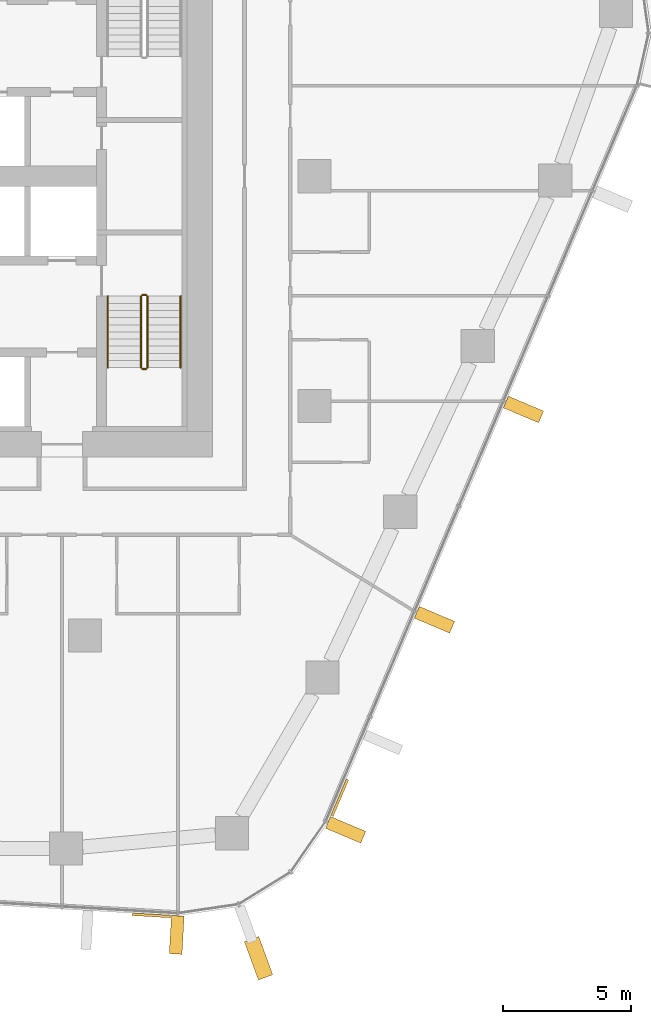
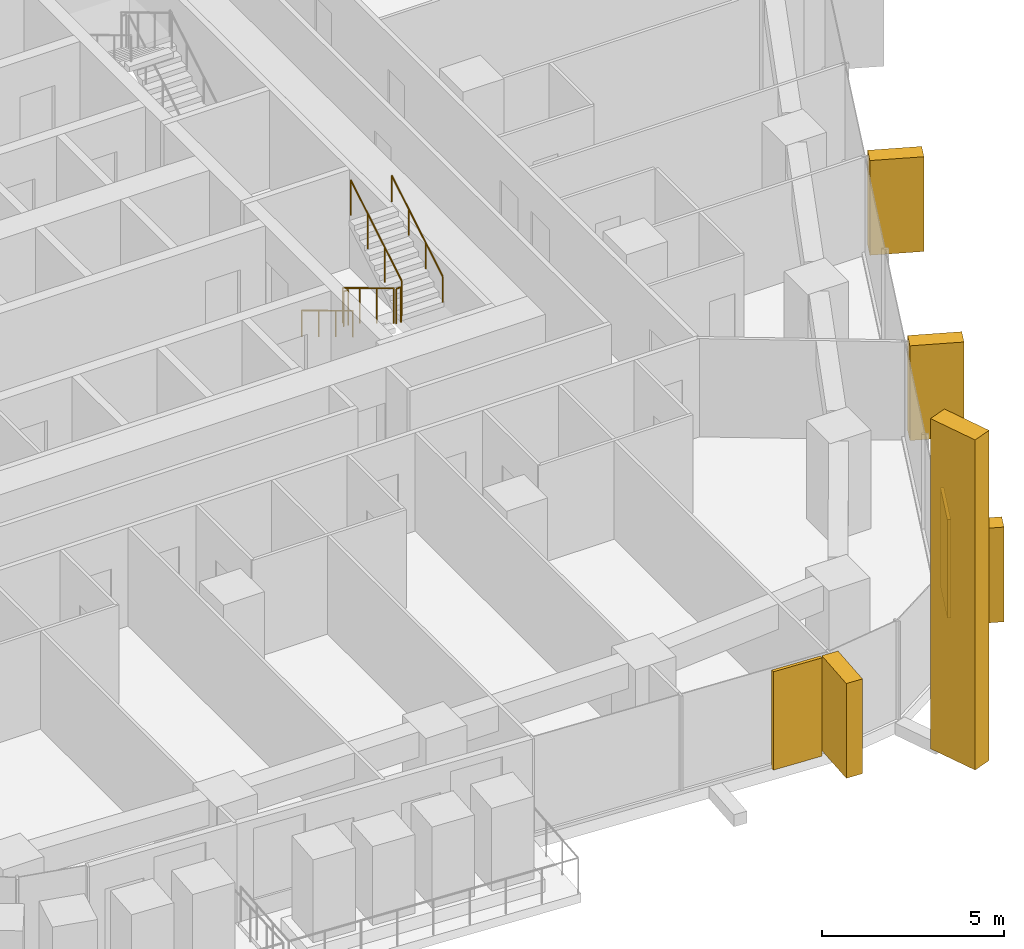
# One storey, part 21 of 24: 7 coverings, 6 railings, 3 elements without a shape of their own.
"""IFC4 building model written with IfcOpenShell, lengths in metres."""

from ifc_helpers import new_model, si_unit, direction, frame, origin, origin_2d, place, context, subcontext, project, spatial, rectangle, circle, extrude, material, layer, layer_set, material_profile, profile_set, type_object, element, aggregate, save


model = new_model("IFC4")

# Units and contexts
model_context = context("Model", 3, precision=1e-05, world=origin(), true_north=direction((0.0, 1.0)))
body_context = subcontext(model_context, "Body", "Model", "MODEL_VIEW")
ifc_project = project(units=[si_unit("LENGTHUNIT", "METRE"), si_unit("AREAUNIT", "SQUARE_METRE"), si_unit("VOLUMEUNIT", "CUBIC_METRE"), si_unit("PLANEANGLEUNIT", "RADIAN"), si_unit("MASSUNIT", "GRAM", prefix="KILO")], contexts=[model_context])

# Site, building, storey
site_placement = place(None, origin())
site = spatial("IfcSite", under=ifc_project, at=site_placement, CompositionType="ELEMENT")
building_placement = place(site_placement, origin())
building = spatial("IfcBuilding", under=site, at=building_placement, Name="Dongbaek Canopy Tower", CompositionType="ELEMENT")
storey_placement = place(building_placement, frame((0.0, 0.0, 117.39990234375)))
storey = spatial("IfcBuildingStorey", under=building, at=storey_placement, Name="L25", CompositionType="ELEMENT", Elevation=117.39990234375)

# Curtain wall, covering
ifc_material_1 = material(Name="Aluminium 6063-T6 pale anodised", Category="aluminium")
ifc_layer_1 = layer(ifc_material_1, 0.199951171875)
ifc_layer_set_1 = layer_set([ifc_layer_1], Name="CW-1 unitised tower curtain wall")
curtain_wall_type = type_object("IfcCurtainWallType", Name="CW-1 unitised tower curtain wall", PredefinedType="NOTDEFINED", material=ifc_layer_set_1)
curtain_wall_1_placement = place(storey_placement, origin())
curtain_wall_1 = element("IfcCurtainWall", 1, at=curtain_wall_1_placement, inside=storey, type_object=curtain_wall_type, Name="CW-1 curtain wall K5.1", PredefinedType="NOTDEFINED")
ifc_material_2 = material(Name="Aluminium 6063-T6 pale metal fin", Category="aluminium")
ifc_material_profile_1 = material_profile(ifc_material_2, rectangle(XDim=1.60009765625, YDim=0.60009765625, at=origin_2d()), Name="Corner fin CN1 600 x 1600 pale metal")
ifc_profile_set_1 = profile_set([ifc_material_profile_1], Name="Aluminium 6063-T6 pale metal fin")
covering_type_1 = type_object("IfcCoveringType", Name="Corner fin CN1 600 x 1600 pale metal", PredefinedType="CLADDING", material=ifc_profile_set_1)
covering_1_placement = place(storey_placement, frame((15.805419921875, -30.64599609375, -0.199951171875), z_axis=(0.0, 0.0, 1.0), x_axis=(0.34445122323, -0.93880421538, 0.0)))
covering_1 = element("IfcCovering", 2, at=covering_1_placement, type_object=covering_type_1, Name="Corner fin L25 L27 K5", PredefinedType="CLADDING", context=body_context, shape_type="SweptSolid", body=[
    extrude(rectangle(XDim=1.60009765625, YDim=0.60009765625, at=origin_2d()), origin(), (0.0, 0.0, 1.0), 11.080078125),
])
aggregate(curtain_wall_1, [covering_1])

curtain_wall_2_placement = place(storey_placement, origin())
curtain_wall_2 = element("IfcCurtainWall", 3, at=curtain_wall_2_placement, inside=storey, type_object=curtain_wall_type, Name="CW-1 curtain wall F4.1", PredefinedType="NOTDEFINED")
ifc_material_3 = material(Name="Perforated aluminium 6063-T6 pale metal screen", Category="aluminium")
ifc_layer_2 = layer(ifc_material_3, 0.10009765625)
ifc_layer_set_2 = layer_set([ifc_layer_2], Name="Facet screen FS1 100 pale metal")
covering_type_2 = type_object("IfcCoveringType", Name="Facet screen FS1 100 pale metal", PredefinedType="CLADDING", material=ifc_layer_set_2)
covering_2_placement = place(storey_placement, frame((11.6015625, -28.969970703125, 0.0), z_axis=(0.0, 0.0, 1.0), x_axis=(0.998330847517, -0.057753951351, 0.0)))
covering_2 = element("IfcCovering", 4, at=covering_2_placement, type_object=covering_type_2, Name="Facet screen L25 F4", PredefinedType="CLADDING", context=body_context, shape_type="SweptSolid", body=[
    extrude(rectangle(XDim=1.498046875, YDim=0.10009765625, at=origin_2d()), origin(), (0.0, 0.0, 1.0), 3.300048828125),
])

curtain_wall_3_placement = place(storey_placement, origin())
curtain_wall_3 = element("IfcCurtainWall", 5, at=curtain_wall_3_placement, inside=storey, type_object=curtain_wall_type, Name="CW-1 curtain wall F5.1", PredefinedType="NOTDEFINED")
covering_3_placement = place(storey_placement, frame((18.98681640625, -24.357177734375, 0.0), z_axis=(0.0, 0.0, 1.0), x_axis=(0.389662487162, 0.920957733069, 0.0)))
covering_3 = element("IfcCovering", 6, at=covering_3_placement, type_object=covering_type_2, Name="Facet screen L25 F5", PredefinedType="CLADDING", context=body_context, shape_type="SweptSolid", body=[
    extrude(rectangle(XDim=1.556884765625, YDim=0.10009765625, at=origin_2d()), origin(), (0.0, 0.0, 1.0), 3.300048828125),
])

# Covering
ifc_material_4 = material(Name="Aluminium 6063-T6 pale metal fin", Category="aluminium")
ifc_material_profile_2 = material_profile(ifc_material_4, rectangle(XDim=1.5, YDim=0.5, at=origin_2d()), Name="Fin FN1 500 x 1500 pale metal")
ifc_profile_set_2 = profile_set([ifc_material_profile_2], Name="Aluminium 6063-T6 pale metal fin")
covering_type_3 = type_object("IfcCoveringType", Name="Fin FN1 500 x 1500 pale metal", PredefinedType="CLADDING", material=ifc_profile_set_2)
covering_4_placement = place(storey_placement, frame((12.59814453125, -29.73291015625, 0.1201171875), z_axis=(0.0, 0.0, 1.0), x_axis=(-0.057753163239, -0.998330893109, 0.0)))
covering_4 = element("IfcCovering", 7, at=covering_4_placement, type_object=covering_type_3, Name="Fin F4.1.3", PredefinedType="CLADDING", context=body_context, shape_type="SweptSolid", body=[
    extrude(rectangle(XDim=1.5, YDim=0.5, at=origin_2d()), origin(), (0.0, 0.0, 1.0), 3.179931640625),
])

aggregate(curtain_wall_2, [covering_4, covering_2])

covering_5_placement = place(storey_placement, frame((19.21875, -25.615478515625, 0.1201171875), z_axis=(0.0, 0.0, 1.0), x_axis=(0.920957724744, -0.389662506836, 0.0)))
covering_5 = element("IfcCovering", 8, at=covering_5_placement, type_object=covering_type_3, Name="Fin F5.1.1", PredefinedType="CLADDING", context=body_context, shape_type="SweptSolid", body=[
    extrude(rectangle(XDim=1.5, YDim=0.5, at=origin_2d()), origin(), (0.0, 0.0, 1.0), 3.179931640625),
])

covering_6_placement = place(storey_placement, frame((22.701904296875, -17.383056640625, 0.1201171875), z_axis=(0.0, 0.0, 1.0), x_axis=(0.920957724744, -0.389662506836, 0.0)))
covering_6 = element("IfcCovering", 9, at=covering_6_placement, type_object=covering_type_3, Name="Fin F5.1.3", PredefinedType="CLADDING", context=body_context, shape_type="SweptSolid", body=[
    extrude(rectangle(XDim=1.5, YDim=0.5, at=origin_2d()), origin(), (0.0, 0.0, 1.0), 3.179931640625),
])

covering_7_placement = place(storey_placement, frame((26.189208984375, -9.14111328125, 0.1201171875), z_axis=(0.0, 0.0, 1.0), x_axis=(0.920957724744, -0.389662506836, 0.0)))
covering_7 = element("IfcCovering", 10, at=covering_7_placement, type_object=covering_type_3, Name="Fin F5.1.5", PredefinedType="CLADDING", context=body_context, shape_type="SweptSolid", body=[
    extrude(rectangle(XDim=1.5, YDim=0.5, at=origin_2d()), origin(), (0.0, 0.0, 1.0), 3.179931640625),
])

aggregate(curtain_wall_3, [covering_5, covering_6, covering_7, covering_3])

# Railings
ifc_material_5 = material(Name="Stainless steel tube and balusters", Category="steel")
railing_type_1 = type_object("IfcRailingType", Name="Stair guard 1200", PredefinedType="GUARDRAIL", material=ifc_material_5)
railing_1_placement = place(storey_placement, frame((11.199951171875, -4.699951171875, 0.168212890625)))
element("IfcRailing", 11, at=railing_1_placement, inside=storey, type_object=railing_type_1, Name="L25 ST-B stair guard 1", PredefinedType="GUARDRAIL", context=body_context, shape_type="SweptSolid", body=[
    extrude(circle(Radius=0.02392578125, at=origin_2d()), frame((0.0, 0.0, 1.17578125), z_axis=(0.0, -0.857242210791, 0.514913383045), x_axis=(1.0, 0.0, 0.0)), (0.0, 0.0, 1.0), 3.266357421875),
    extrude(circle(Radius=0.02099609375, at=origin_2d()), origin(), (0.0, 0.0, 1.0), 1.15185546875),
    extrude(circle(Radius=0.02099609375, at=origin_2d()), frame((0.0, -0.933349609375, 0.560546875)), (0.0, 0.0, 1.0), 1.15185546875),
    extrude(circle(Radius=0.02099609375, at=origin_2d()), frame((0.0, -1.86669921875, 1.121337890625)), (0.0, 0.0, 1.0), 1.15185546875),
    extrude(circle(Radius=0.02099609375, at=origin_2d()), frame((0.0, -2.800048828125, 1.681884765625)), (0.0, 0.0, 1.0), 1.15185546875),
])
railing_2_placement = place(storey_placement, frame((11.25, -7.550048828125, 1.85009765625)))
element("IfcRailing", 12, at=railing_2_placement, inside=storey, type_object=railing_type_1, Name="L25 ST-B stair guard 2", PredefinedType="GUARDRAIL", context=body_context, shape_type="SweptSolid", body=[
    extrude(circle(Radius=0.02392578125, at=origin_2d()), frame((0.0, 0.0, 1.17578125), z_axis=(1.0, 0.0, 0.0), x_axis=(0.0, 1.0, 0.0)), (0.0, 0.0, 1.0), 0.14990234375),
    extrude(circle(Radius=0.02099609375, at=origin_2d()), origin(), (0.0, 0.0, 1.0), 1.15185546875),
    extrude(circle(Radius=0.02099609375, at=origin_2d()), frame((0.14990234375, 0.0, 0.0)), (0.0, 0.0, 1.0), 1.15185546875),
])
railing_3_placement = place(storey_placement, frame((11.449951171875, -7.5, 2.018310546875)))
element("IfcRailing", 13, at=railing_3_placement, inside=storey, type_object=railing_type_1, Name="L25 ST-B stair guard 3", PredefinedType="GUARDRAIL", context=body_context, shape_type="SweptSolid", body=[
    extrude(circle(Radius=0.02392578125, at=origin_2d()), frame((0.0, 0.0, 1.17578125), z_axis=(0.0, 0.857242210791, 0.514913383045), x_axis=(-1.0, 0.0, 0.0)), (0.0, 0.0, 1.0), 3.266357421875),
    extrude(circle(Radius=0.02099609375, at=origin_2d()), origin(), (0.0, 0.0, 1.0), 1.15185546875),
    extrude(circle(Radius=0.02099609375, at=origin_2d()), frame((0.0, 0.933349609375, 0.560546875)), (0.0, 0.0, 1.0), 1.15185546875),
    extrude(circle(Radius=0.02099609375, at=origin_2d()), frame((0.0, 1.86669921875, 1.121337890625)), (0.0, 0.0, 1.0), 1.15185546875),
    extrude(circle(Radius=0.02099609375, at=origin_2d()), frame((0.0, 2.800048828125, 1.681884765625)), (0.0, 0.0, 1.0), 1.15185546875),
])
railing_4_placement = place(storey_placement, frame((11.25, -4.64990234375, 0.0)))
element("IfcRailing", 14, at=railing_4_placement, inside=storey, type_object=railing_type_1, Name="L25 ST-B stair guard 4", PredefinedType="GUARDRAIL", context=body_context, shape_type="SweptSolid", body=[
    extrude(circle(Radius=0.02392578125, at=origin_2d()), frame((0.0, 0.0, 1.17578125), z_axis=(1.0, 0.0, 0.0), x_axis=(0.0, 1.0, 0.0)), (0.0, 0.0, 1.0), 0.14990234375),
    extrude(circle(Radius=0.02099609375, at=origin_2d()), origin(), (0.0, 0.0, 1.0), 1.15185546875),
    extrude(circle(Radius=0.02099609375, at=origin_2d()), frame((0.14990234375, 0.0, 0.0)), (0.0, 0.0, 1.0), 1.15185546875),
])
ifc_material_6 = material(Name="Stainless steel tube", Category="steel")
railing_type_2 = type_object("IfcRailingType", Name="Stair handrail 900", PredefinedType="HANDRAIL", material=ifc_material_6)
railing_5_placement = place(storey_placement, frame((9.89990234375, -4.699951171875, 0.168212890625)))
element("IfcRailing", 15, at=railing_5_placement, inside=storey, type_object=railing_type_2, Name="L25 ST-B stair handrail 1", PredefinedType="HANDRAIL", context=body_context, shape_type="SweptSolid", body=[
    extrude(circle(Radius=0.02392578125, at=origin_2d()), frame((0.0, 0.0, 0.8759765625), z_axis=(0.0, -0.857242210791, 0.514913383045), x_axis=(1.0, 0.0, 0.0)), (0.0, 0.0, 1.0), 3.266357421875),
    extrude(circle(Radius=0.02099609375, at=origin_2d()), origin(), (0.0, 0.0, 1.0), 0.851806640625),
    extrude(circle(Radius=0.02099609375, at=origin_2d()), frame((0.0, -0.933349609375, 0.560546875)), (0.0, 0.0, 1.0), 0.851806640625),
    extrude(circle(Radius=0.02099609375, at=origin_2d()), frame((0.0, -1.86669921875, 1.121337890625)), (0.0, 0.0, 1.0), 0.851806640625),
    extrude(circle(Radius=0.02099609375, at=origin_2d()), frame((0.0, -2.800048828125, 1.681884765625)), (0.0, 0.0, 1.0), 0.851806640625),
])
railing_6_placement = place(storey_placement, frame((12.75, -7.5, 2.018310546875)))
element("IfcRailing", 16, at=railing_6_placement, inside=storey, type_object=railing_type_2, Name="L25 ST-B stair handrail 2", PredefinedType="HANDRAIL", context=body_context, shape_type="SweptSolid", body=[
    extrude(circle(Radius=0.02392578125, at=origin_2d()), frame((0.0, 0.0, 0.8759765625), z_axis=(0.0, 0.857242210791, 0.514913383045), x_axis=(-1.0, 0.0, 0.0)), (0.0, 0.0, 1.0), 3.266357421875),
    extrude(circle(Radius=0.02099609375, at=origin_2d()), origin(), (0.0, 0.0, 1.0), 0.851806640625),
    extrude(circle(Radius=0.02099609375, at=origin_2d()), frame((0.0, 0.933349609375, 0.560546875)), (0.0, 0.0, 1.0), 0.851806640625),
    extrude(circle(Radius=0.02099609375, at=origin_2d()), frame((0.0, 1.86669921875, 1.121337890625)), (0.0, 0.0, 1.0), 0.851806640625),
    extrude(circle(Radius=0.02099609375, at=origin_2d()), frame((0.0, 2.800048828125, 1.681884765625)), (0.0, 0.0, 1.0), 0.851806640625),
])

save(model, "model.ifc")
